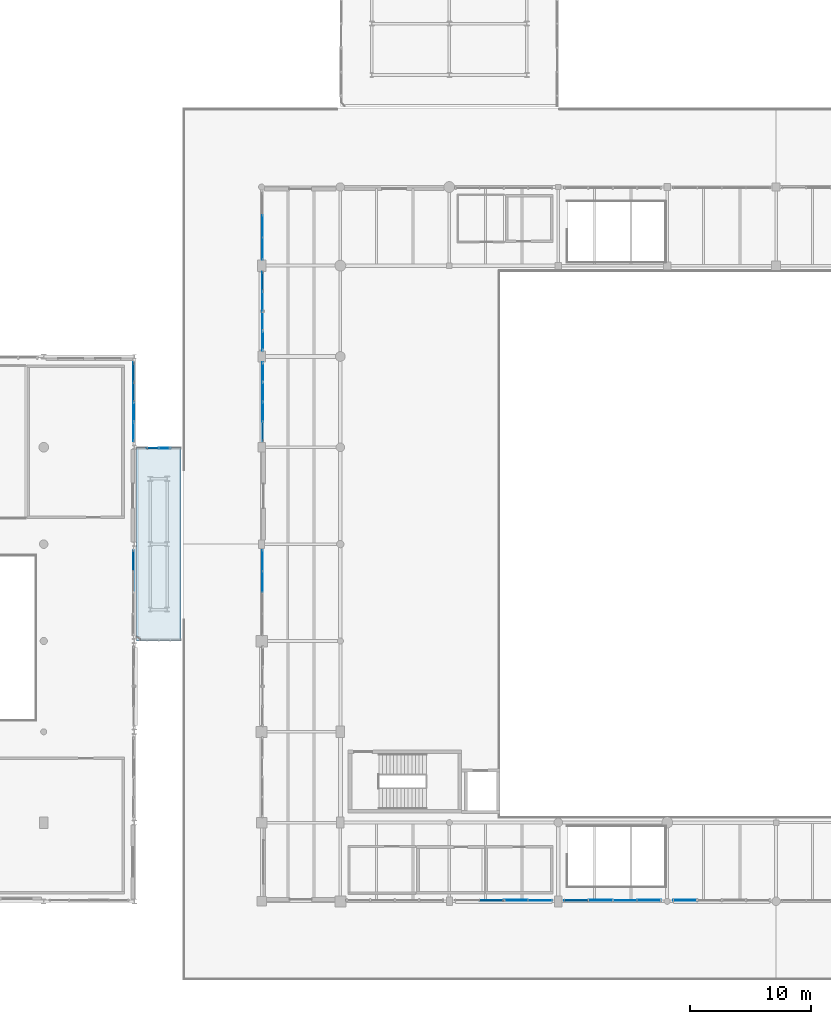
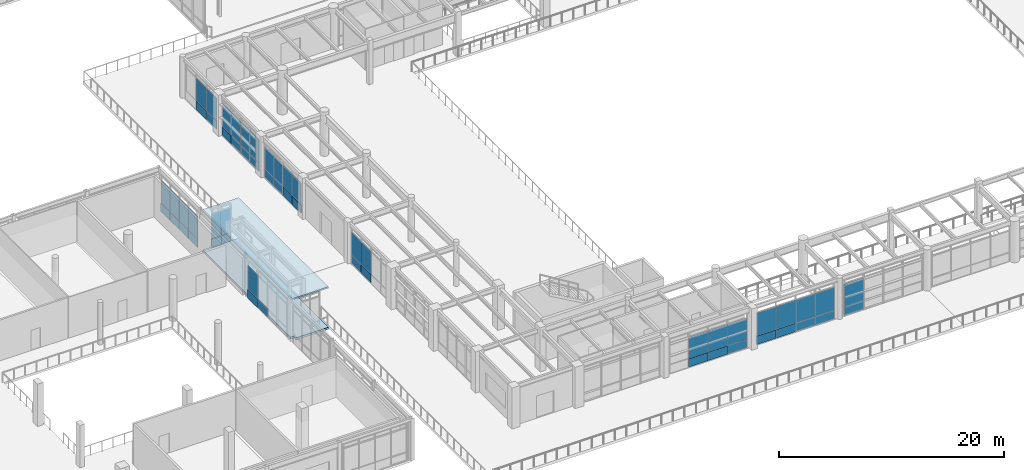
# One storey, part 156 of 200: 55 plates, 2 slabs, 10 elements without a shape of their own.
"""IFC4 building model written with IfcOpenShell, lengths in metres."""

from ifc_helpers import new_model, si_unit, direction, frame, origin, origin_2d, place, context, subcontext, project, spatial, polyline, rectangle, outline, extrude, material, layer, layer_set, type_object, element, aggregate, save


model = new_model("IFC4")

# Units and contexts
model_context = context("Model", 3, precision=1e-05, world=origin(), true_north=direction((0.0, 1.0)))
body_context = subcontext(model_context, "Body", "Model", "MODEL_VIEW")
ifc_project = project(units=[si_unit("LENGTHUNIT", "METRE"), si_unit("AREAUNIT", "SQUARE_METRE"), si_unit("VOLUMEUNIT", "CUBIC_METRE"), si_unit("PLANEANGLEUNIT", "RADIAN"), si_unit("MASSUNIT", "GRAM", prefix="KILO"), si_unit("THERMODYNAMICTEMPERATUREUNIT", "KELVIN"), si_unit("POWERUNIT", "WATT")], contexts=[model_context])

# Site, building, storey
site_placement = place(None, origin())
site = spatial("IfcSite", under=ifc_project, at=site_placement, CompositionType="ELEMENT")
building_placement = place(site_placement, origin())
building = spatial("IfcBuilding", under=site, at=building_placement, Name="Tepalcoro Natatorium and Aquatics Centre", CompositionType="ELEMENT")
storey_placement = place(building_placement, frame((0.0, 0.0, 5.39990234375)))
storey = spatial("IfcBuildingStorey", under=building, at=storey_placement, Name="L01", CompositionType="ELEMENT", Elevation=5.39990234375)

# Curtain wall, plate
ifc_material_1 = material(Name="Bronze-Anodised Extruded Aluminium Alloy EN AW-6063 T6", Category="aluminium")
curtain_wall_type_1 = type_object("IfcCurtainWallType", Name="CW_V4_VILLAGE", PredefinedType="USERDEFINED", material=ifc_material_1)
curtain_wall_1_placement = place(storey_placement, origin())
curtain_wall_1 = element("IfcCurtainWall", 1, at=curtain_wall_1_placement, inside=storey, type_object=curtain_wall_type_1, Name="V1 L01 S Unitised Curtain Wall Bay 3", ObjectType="UNITISED STOREFRONT", PredefinedType="USERDEFINED")
ifc_material_2 = material(Name="Solar-Control Bronze Tempered Low-E Double Glazing", Category="glass")
ifc_layer_1 = layer(ifc_material_2, 0.048095703125)
ifc_layer_set_1 = layer_set([ifc_layer_1], Name="Solar-Control Bronze Tempered Low-E Double Glazing")
plate_type_1 = type_object("IfcPlateType", Name="PL_ACOUSTIC_IGU_48", PredefinedType="CURTAIN_PANEL", material=ifc_layer_set_1)
plate_1_placement = place(storey_placement, frame((67.5048828125, 6.580078125, 0.9599609375), z_axis=(0.0, 0.0, 1.0), x_axis=(1.0, 0.0, 0.0)))
plate_1 = element("IfcPlate", 2, at=plate_1_placement, type_object=plate_type_1, Name="CW_V4_VILLAGE Insulated Glazing Unit", PredefinedType="CURTAIN_PANEL", context=body_context, shape_type="SweptSolid", body=[
    extrude(rectangle(XDim=1.989990234375, YDim=0.048095703125, at=origin_2d()), origin(), (0.0, 0.0, 1.0), 2.318115234375),
])

curtain_wall_type_2 = type_object("IfcCurtainWallType", Name="CW_V5_LOWER", PredefinedType="USERDEFINED", material=ifc_material_1)
curtain_wall_2_placement = place(storey_placement, origin())
curtain_wall_2 = element("IfcCurtainWall", 3, at=curtain_wall_2_placement, inside=storey, type_object=curtain_wall_type_2, Name="V1 L01 S Unitised Curtain Wall Bay 4", ObjectType="UNITISED STOREFRONT", PredefinedType="USERDEFINED")
plate_2_placement = place(storey_placement, frame((74.4951171875, 6.580078125, 0.9599609375), z_axis=(0.0, 0.0, 1.0), x_axis=(1.0, 0.0, 0.0)))
plate_2 = element("IfcPlate", 4, at=plate_2_placement, type_object=plate_type_1, Name="CW_V5_LOWER Insulated Glazing Unit", PredefinedType="CURTAIN_PANEL", context=body_context, shape_type="SweptSolid", body=[
    extrude(rectangle(XDim=1.989990234375, YDim=0.048095703125, at=origin_2d()), origin(), (0.0, 0.0, 1.0), 2.51708984375),
])

curtain_wall_type_3 = type_object("IfcCurtainWallType", Name="CW_V5_UPPER", PredefinedType="USERDEFINED", material=ifc_material_1)
curtain_wall_3_placement = place(storey_placement, origin())
curtain_wall_3 = element("IfcCurtainWall", 5, at=curtain_wall_3_placement, inside=storey, type_object=curtain_wall_type_3, Name="V1 L01 S Unitised Curtain Wall Bay 5", ObjectType="FACETED SOLAR GLAZING", PredefinedType="USERDEFINED")
plate_3_placement = place(storey_placement, frame((81.485107421875, 6.580078125, 0.9599609375), z_axis=(0.0, 0.0, 1.0), x_axis=(1.0, 0.0, 0.0)))
plate_3 = element("IfcPlate", 6, at=plate_3_placement, type_object=plate_type_1, Name="CW_V5_UPPER Insulated Glazing Unit", PredefinedType="CURTAIN_PANEL", context=body_context, shape_type="SweptSolid", body=[
    extrude(rectangle(XDim=1.989990234375, YDim=0.048095703125, at=origin_2d()), origin(), (0.0, 0.0, 1.0), 2.469970703125),
])

curtain_wall_type_4 = type_object("IfcCurtainWallType", Name="CW_LEAN_T2_NS", PredefinedType="USERDEFINED", material=ifc_material_1)
curtain_wall_4_placement = place(storey_placement, origin())
curtain_wall_4 = element("IfcCurtainWall", 7, at=curtain_wall_4_placement, inside=storey, type_object=curtain_wall_type_4, Name="V1 L01 W Unitised Curtain Wall Bay 4", ObjectType="FACETED SOLAR GLAZING", PredefinedType="USERDEFINED")
plate_4_placement = place(storey_placement, frame((46.576171875, 32.8798828125, 0.9599609375), z_axis=(0.0, 0.0, 1.0), x_axis=(1.0, 0.0, 0.0)))
plate_4 = element("IfcPlate", 8, at=plate_4_placement, type_object=plate_type_1, Name="CW_LEAN_T2_NS Insulated Glazing Unit", PredefinedType="CURTAIN_PANEL", context=body_context, shape_type="SweptSolid", body=[
    extrude(rectangle(XDim=0.048095703125, YDim=1.739990234375, at=origin_2d()), origin(), (0.0, 0.0, 1.0), 2.469970703125),
])

curtain_wall_type_5 = type_object("IfcCurtainWallType", Name="CW_V1_PLINTH", PredefinedType="USERDEFINED", material=ifc_material_1)
curtain_wall_5_placement = place(storey_placement, origin())
curtain_wall_5 = element("IfcCurtainWall", 9, at=curtain_wall_5_placement, inside=storey, type_object=curtain_wall_type_5, Name="V1 L01 W Unitised Curtain Wall Bay 6", ObjectType="UNITISED STOREFRONT", PredefinedType="USERDEFINED")
plate_5_placement = place(storey_placement, frame((46.590087890625, 46.9326171875, 0.9599609375), z_axis=(0.0, 0.0, 1.0), x_axis=(1.0, 0.0, 0.0)))
plate_5 = element("IfcPlate", 10, at=plate_5_placement, type_object=plate_type_1, Name="CW_V1_PLINTH Insulated Glazing Unit", PredefinedType="CURTAIN_PANEL", context=body_context, shape_type="SweptSolid", body=[
    extrude(rectangle(XDim=0.048095703125, YDim=1.614990234375, at=origin_2d()), origin(), (0.0, 0.0, 1.0), 2.318115234375),
])

# Curtain wall, plates
curtain_wall_type_6 = type_object("IfcCurtainWallType", Name="CW_V2_DIVING", PredefinedType="USERDEFINED", material=ifc_material_1)
curtain_wall_6_placement = place(storey_placement, origin())
curtain_wall_6 = element("IfcCurtainWall", 11, at=curtain_wall_6_placement, inside=storey, type_object=curtain_wall_type_6, Name="V1 L01 W Unitised Curtain Wall Bay 7", ObjectType="FACETED SOLAR GLAZING", PredefinedType="USERDEFINED")
plate_6_placement = place(storey_placement, frame((46.580078125, 52.797607421875, 0.9599609375), z_axis=(0.0, 0.0, 1.0), x_axis=(1.0, 0.0, 0.0)))
plate_6 = element("IfcPlate", 12, at=plate_6_placement, type_object=plate_type_1, Name="CW_V2_DIVING Insulated Glazing Unit", PredefinedType="CURTAIN_PANEL", context=body_context, shape_type="SweptSolid", body=[
    extrude(rectangle(XDim=0.048095703125, YDim=1.614990234375, at=origin_2d()), origin(), (0.0, 0.0, 1.0), 2.51708984375),
])
plate_7_placement = place(storey_placement, frame((46.580078125, 57.702392578125, 0.9599609375), z_axis=(0.0, 0.0, 1.0), x_axis=(1.0, 0.0, 0.0)))
plate_7 = element("IfcPlate", 13, at=plate_7_placement, type_object=plate_type_1, Name="CW_V2_DIVING Insulated Glazing Unit", PredefinedType="CURTAIN_PANEL", context=body_context, shape_type="SweptSolid", body=[
    extrude(rectangle(XDim=0.048095703125, YDim=1.614990234375, at=origin_2d()), origin(), (0.0, 0.0, 1.0), 2.51708984375),
])

curtain_wall_type_7 = type_object("IfcCurtainWallType", Name="CW_V3_FOYER", PredefinedType="USERDEFINED", material=ifc_material_1)
curtain_wall_7_placement = place(storey_placement, origin())
curtain_wall_7 = element("IfcCurtainWall", 14, at=curtain_wall_7_placement, inside=storey, type_object=curtain_wall_type_7, Name="V3 L01 E Unitised Curtain Wall Bay 6", ObjectType="UNITISED STOREFRONT", PredefinedType="USERDEFINED")
plate_8_placement = place(storey_placement, frame((35.9287109375, 45.297607421875, 0.960205078125), z_axis=(0.0, 0.0, 1.0), x_axis=(1.0, 0.0, 0.0)))
plate_8 = element("IfcPlate", 15, at=plate_8_placement, type_object=plate_type_1, Name="CW_V3_FOYER Insulated Glazing Unit", PredefinedType="CURTAIN_PANEL", context=body_context, shape_type="SweptSolid", body=[
    extrude(rectangle(XDim=0.048095703125, YDim=1.614990234375, at=origin_2d()), origin(), (0.0, 0.0, 1.0), 2.43798828125),
])
plate_9_placement = place(storey_placement, frame((35.9287109375, 50.202392578125, 0.960205078125), z_axis=(0.0, 0.0, 1.0), x_axis=(1.0, 0.0, 0.0)))
plate_9 = element("IfcPlate", 16, at=plate_9_placement, type_object=plate_type_1, Name="CW_V3_FOYER Insulated Glazing Unit", PredefinedType="CURTAIN_PANEL", context=body_context, shape_type="SweptSolid", body=[
    extrude(rectangle(XDim=0.048095703125, YDim=1.614990234375, at=origin_2d()), origin(), (0.0, 0.0, 1.0), 2.43798828125),
])

# Curtain wall, plate
curtain_wall_type_8 = type_object("IfcCurtainWallType", Name="CW_LINK_150", PredefinedType="USERDEFINED", material=ifc_material_1)
curtain_wall_8_placement = place(storey_placement, origin())
curtain_wall_8 = element("IfcCurtainWall", 17, at=curtain_wall_8_placement, inside=storey, type_object=curtain_wall_type_8, Name="West Foyer Seismic Link Glazed Wall N L01", ObjectType="UNITISED STOREFRONT", PredefinedType="USERDEFINED")
plate_10_placement = place(storey_placement, frame((38.5, 43.919921875, 0.9599609375), z_axis=(0.0, 0.0, 1.0), x_axis=(1.0, 0.0, 0.0)))
plate_10 = element("IfcPlate", 18, at=plate_10_placement, type_object=plate_type_1, Name="CW_LINK_150 Insulated Glazing Unit", PredefinedType="CURTAIN_PANEL", context=body_context, shape_type="SweptSolid", body=[
    extrude(rectangle(XDim=0.97998046875, YDim=0.048095703125, at=origin_2d()), origin(), (0.0, 0.0, 1.0), 2.679931640625),
])

# Plate
ifc_layer_2 = layer(ifc_material_2, 0.028076171875)
ifc_layer_set_2 = layer_set([ifc_layer_2], Name="Solar-Control Bronze Tempered Low-E Double Glazing")
plate_type_2 = type_object("IfcPlateType", Name="PL_BRONZE_IGU_28", PredefinedType="CURTAIN_PANEL", material=ifc_layer_set_2)
plate_11_placement = place(storey_placement, frame((65.4951171875, 6.580078125, 0.9599609375), z_axis=(0.0, 0.0, 1.0), x_axis=(1.0, 0.0, 0.0)))
plate_11 = element("IfcPlate", 19, at=plate_11_placement, type_object=plate_type_2, Name="CW_V4_VILLAGE Insulated Glazing Unit", PredefinedType="CURTAIN_PANEL", context=body_context, shape_type="SweptSolid", body=[
    extrude(rectangle(XDim=1.989990234375, YDim=0.028076171875, at=origin_2d()), origin(), (0.0, 0.0, 1.0), 2.318115234375),
])

plate_12_placement = place(storey_placement, frame((72.485107421875, 6.580078125, 0.9599609375), z_axis=(0.0, 0.0, 1.0), x_axis=(1.0, 0.0, 0.0)))
plate_12 = element("IfcPlate", 20, at=plate_12_placement, type_object=plate_type_2, Name="CW_V5_LOWER Insulated Glazing Unit", PredefinedType="CURTAIN_PANEL", context=body_context, shape_type="SweptSolid", body=[
    extrude(rectangle(XDim=1.989990234375, YDim=0.028076171875, at=origin_2d()), origin(), (0.0, 0.0, 1.0), 2.51708984375),
])

plate_13_placement = place(storey_placement, frame((78.514892578125, 6.580078125, 0.9599609375), z_axis=(0.0, 0.0, 1.0), x_axis=(1.0, 0.0, 0.0)))
plate_13 = element("IfcPlate", 21, at=plate_13_placement, type_object=plate_type_2, Name="CW_V5_LOWER Insulated Glazing Unit", PredefinedType="CURTAIN_PANEL", context=body_context, shape_type="SweptSolid", body=[
    extrude(rectangle(XDim=1.989990234375, YDim=0.028076171875, at=origin_2d()), origin(), (0.0, 0.0, 1.0), 2.51708984375),
])

plate_14_placement = place(storey_placement, frame((46.590087890625, 45.297607421875, 0.9599609375), z_axis=(0.0, 0.0, 1.0), x_axis=(1.0, 0.0, 0.0)))
plate_14 = element("IfcPlate", 22, at=plate_14_placement, type_object=plate_type_2, Name="CW_V1_PLINTH Insulated Glazing Unit", PredefinedType="CURTAIN_PANEL", context=body_context, shape_type="SweptSolid", body=[
    extrude(rectangle(XDim=0.028076171875, YDim=1.614990234375, at=origin_2d()), origin(), (0.0, 0.0, 1.0), 2.318115234375),
])

plate_15_placement = place(storey_placement, frame((46.590087890625, 50.202392578125, 0.9599609375), z_axis=(0.0, 0.0, 1.0), x_axis=(1.0, 0.0, 0.0)))
plate_15 = element("IfcPlate", 23, at=plate_15_placement, type_object=plate_type_2, Name="CW_V1_PLINTH Insulated Glazing Unit", PredefinedType="CURTAIN_PANEL", context=body_context, shape_type="SweptSolid", body=[
    extrude(rectangle(XDim=0.028076171875, YDim=1.614990234375, at=origin_2d()), origin(), (0.0, 0.0, 1.0), 2.318115234375),
])

plate_16_placement = place(storey_placement, frame((46.580078125, 56.0673828125, 0.9599609375), z_axis=(0.0, 0.0, 1.0), x_axis=(1.0, 0.0, 0.0)))
plate_16 = element("IfcPlate", 24, at=plate_16_placement, type_object=plate_type_2, Name="CW_V2_DIVING Insulated Glazing Unit", PredefinedType="CURTAIN_PANEL", context=body_context, shape_type="SweptSolid", body=[
    extrude(rectangle(XDim=0.028076171875, YDim=1.614990234375, at=origin_2d()), origin(), (0.0, 0.0, 1.0), 2.51708984375),
])

# Curtain wall, plate
curtain_wall_9_placement = place(storey_placement, origin())
curtain_wall_9 = element("IfcCurtainWall", 25, at=curtain_wall_9_placement, inside=storey, type_object=curtain_wall_type_7, Name="V1 L01 W Unitised Curtain Wall Bay 8", ObjectType="UNITISED STOREFRONT", PredefinedType="USERDEFINED")
plate_17_placement = place(storey_placement, frame((46.5712890625, 62.25, 0.9599609375), z_axis=(0.0, 0.0, 1.0), x_axis=(1.0, 0.0, 0.0)))
plate_17 = element("IfcPlate", 26, at=plate_17_placement, type_object=plate_type_2, Name="CW_V3_FOYER Insulated Glazing Unit", PredefinedType="CURTAIN_PANEL", context=body_context, shape_type="SweptSolid", body=[
    extrude(rectangle(XDim=0.028076171875, YDim=1.82666015625, at=origin_2d()), origin(), (0.0, 0.0, 1.0), 2.469970703125),
])

curtain_wall_10_placement = place(storey_placement, origin())
curtain_wall_10 = element("IfcCurtainWall", 27, at=curtain_wall_10_placement, inside=storey, type_object=curtain_wall_type_5, Name="V3 L01 E Unitised Curtain Wall Bay 4", ObjectType="UNITISED STOREFRONT", PredefinedType="USERDEFINED")
plate_18_placement = place(storey_placement, frame((35.909912109375, 34.639892578125, 0.9599609375), z_axis=(0.0, 0.0, 1.0), x_axis=(1.0, 0.0, 0.0)))
plate_18 = element("IfcPlate", 28, at=plate_18_placement, type_object=plate_type_2, Name="CW_V1_PLINTH Insulated Glazing Unit", PredefinedType="CURTAIN_PANEL", context=body_context, shape_type="SweptSolid", body=[
    extrude(rectangle(XDim=0.028076171875, YDim=1.739990234375, at=origin_2d()), origin(), (0.0, 0.0, 1.0), 2.590087890625),
])

# Plate
plate_19_placement = place(storey_placement, frame((35.9287109375, 48.5673828125, 0.960205078125), z_axis=(0.0, 0.0, 1.0), x_axis=(1.0, 0.0, 0.0)))
plate_19 = element("IfcPlate", 29, at=plate_19_placement, type_object=plate_type_2, Name="CW_V3_FOYER Insulated Glazing Unit", PredefinedType="CURTAIN_PANEL", context=body_context, shape_type="SweptSolid", body=[
    extrude(rectangle(XDim=0.028076171875, YDim=1.614990234375, at=origin_2d()), origin(), (0.0, 0.0, 1.0), 2.43798828125),
])

plate_20_placement = place(storey_placement, frame((37.5, 43.919921875, 0.9599609375), z_axis=(0.0, 0.0, 1.0), x_axis=(1.0, 0.0, 0.0)))
plate_20 = element("IfcPlate", 30, at=plate_20_placement, type_object=plate_type_2, Name="CW_LINK_150 Insulated Glazing Unit", PredefinedType="CURTAIN_PANEL", context=body_context, shape_type="SweptSolid", body=[
    extrude(rectangle(XDim=0.97998046875, YDim=0.028076171875, at=origin_2d()), origin(), (0.0, 0.0, 1.0), 2.679931640625),
])

ifc_material_3 = material(Name="Jalisco Cantera Rosa Volcanic Tuff Ashlar Masonry", Category="masonry")
ifc_layer_3 = layer(ifc_material_3, 0.090087890625)
ifc_layer_set_3 = layer_set([ifc_layer_3], Name="Jalisco Cantera Rosa Volcanic Tuff Ashlar Masonry")
plate_type_3 = type_object("IfcPlateType", Name="PL_CANTERA_90", PredefinedType="SHEET", material=ifc_layer_set_3)
plate_21_placement = place(storey_placement, frame((46.580078125, 57.702392578125, 0.044921875), z_axis=(0.0, 0.0, 1.0), x_axis=(1.0, 0.0, 0.0)))
plate_21 = element("IfcPlate", 31, at=plate_21_placement, type_object=plate_type_3, Name="CW_V2_DIVING Spandrel & Screen Panel", PredefinedType="SHEET", context=body_context, shape_type="SweptSolid", body=[
    extrude(rectangle(XDim=0.090087890625, YDim=1.614990234375, at=origin_2d()), origin(), (0.0, 0.0, 1.0), 0.909912109375),
])

plate_22_placement = place(storey_placement, frame((35.909912109375, 34.639892578125, 0.044921875), z_axis=(0.0, 0.0, 1.0), x_axis=(1.0, 0.0, 0.0)))
plate_22 = element("IfcPlate", 32, at=plate_22_placement, type_object=plate_type_3, Name="CW_V1_PLINTH Spandrel & Screen Panel", PredefinedType="SHEET", context=body_context, shape_type="SweptSolid", body=[
    extrude(rectangle(XDim=0.090087890625, YDim=1.739990234375, at=origin_2d()), origin(), (0.0, 0.0, 1.0), 0.909912109375),
])

plate_23_placement = place(storey_placement, frame((35.9287109375, 48.5673828125, 0.044921875), z_axis=(0.0, 0.0, 1.0), x_axis=(1.0, 0.0, 0.0)))
plate_23 = element("IfcPlate", 33, at=plate_23_placement, type_object=plate_type_3, Name="CW_V3_FOYER Spandrel & Screen Panel", PredefinedType="SHEET", context=body_context, shape_type="SweptSolid", body=[
    extrude(rectangle(XDim=0.090087890625, YDim=1.614990234375, at=origin_2d()), origin(), (0.0, 0.0, 1.0), 0.909912109375),
])

ifc_material_4 = material(Name="Clear Tempered Low-E Safety Glazing", Category="glass")
ifc_layer_4 = layer(ifc_material_4, 0.011962890625)
ifc_layer_set_4 = layer_set([ifc_layer_4], Name="Clear Tempered Low-E Safety Glazing")
plate_type_4 = type_object("IfcPlateType", Name="PL_GLASS_12", PredefinedType="CURTAIN_PANEL", material=ifc_layer_set_4)
plate_24_placement = place(storey_placement, frame((69.514892578125, 6.580078125, 0.9599609375), z_axis=(0.0, 0.0, 1.0), x_axis=(1.0, 0.0, 0.0)))
plate_24 = element("IfcPlate", 34, at=plate_24_placement, type_object=plate_type_4, Name="CW_V4_VILLAGE Insulated Glazing Unit", PredefinedType="CURTAIN_PANEL", context=body_context, shape_type="SweptSolid", body=[
    extrude(rectangle(XDim=1.989990234375, YDim=0.011962890625, at=origin_2d()), origin(), (0.0, 0.0, 1.0), 2.318115234375),
])

plate_25_placement = place(storey_placement, frame((76.5048828125, 6.580078125, 0.9599609375), z_axis=(0.0, 0.0, 1.0), x_axis=(1.0, 0.0, 0.0)))
plate_25 = element("IfcPlate", 35, at=plate_25_placement, type_object=plate_type_4, Name="CW_V5_LOWER Insulated Glazing Unit", PredefinedType="CURTAIN_PANEL", context=body_context, shape_type="SweptSolid", body=[
    extrude(rectangle(XDim=1.989990234375, YDim=0.011962890625, at=origin_2d()), origin(), (0.0, 0.0, 1.0), 2.51708984375),
])

plate_26_placement = place(storey_placement, frame((46.576171875, 34.639892578125, 0.9599609375), z_axis=(0.0, 0.0, 1.0), x_axis=(1.0, 0.0, 0.0)))
plate_26 = element("IfcPlate", 36, at=plate_26_placement, type_object=plate_type_4, Name="CW_LEAN_T2_NS Insulated Glazing Unit", PredefinedType="CURTAIN_PANEL", context=body_context, shape_type="SweptSolid", body=[
    extrude(rectangle(XDim=0.011962890625, YDim=1.739990234375, at=origin_2d()), origin(), (0.0, 0.0, 1.0), 2.469970703125),
])

plate_27_placement = place(storey_placement, frame((46.590087890625, 48.5673828125, 0.9599609375), z_axis=(0.0, 0.0, 1.0), x_axis=(1.0, 0.0, 0.0)))
plate_27 = element("IfcPlate", 37, at=plate_27_placement, type_object=plate_type_4, Name="CW_V1_PLINTH Insulated Glazing Unit", PredefinedType="CURTAIN_PANEL", context=body_context, shape_type="SweptSolid", body=[
    extrude(rectangle(XDim=0.011962890625, YDim=1.614990234375, at=origin_2d()), origin(), (0.0, 0.0, 1.0), 2.318115234375),
])

plate_28_placement = place(storey_placement, frame((46.580078125, 54.4326171875, 0.9599609375), z_axis=(0.0, 0.0, 1.0), x_axis=(1.0, 0.0, 0.0)))
plate_28 = element("IfcPlate", 38, at=plate_28_placement, type_object=plate_type_4, Name="CW_V2_DIVING Insulated Glazing Unit", PredefinedType="CURTAIN_PANEL", context=body_context, shape_type="SweptSolid", body=[
    extrude(rectangle(XDim=0.011962890625, YDim=1.614990234375, at=origin_2d()), origin(), (0.0, 0.0, 1.0), 2.51708984375),
])

plate_29_placement = place(storey_placement, frame((46.5712890625, 60.4033203125, 0.9599609375), z_axis=(0.0, 0.0, 1.0), x_axis=(1.0, 0.0, 0.0)))
plate_29 = element("IfcPlate", 39, at=plate_29_placement, type_object=plate_type_4, Name="CW_V3_FOYER Insulated Glazing Unit", PredefinedType="CURTAIN_PANEL", context=body_context, shape_type="SweptSolid", body=[
    extrude(rectangle(XDim=0.011962890625, YDim=1.82666015625, at=origin_2d()), origin(), (0.0, 0.0, 1.0), 2.469970703125),
])

plate_30_placement = place(storey_placement, frame((35.9287109375, 46.9326171875, 0.960205078125), z_axis=(0.0, 0.0, 1.0), x_axis=(1.0, 0.0, 0.0)))
plate_30 = element("IfcPlate", 40, at=plate_30_placement, type_object=plate_type_4, Name="CW_V3_FOYER Insulated Glazing Unit", PredefinedType="CURTAIN_PANEL", context=body_context, shape_type="SweptSolid", body=[
    extrude(rectangle(XDim=0.011962890625, YDim=1.614990234375, at=origin_2d()), origin(), (0.0, 0.0, 1.0), 2.43798828125),
])

ifc_material_5 = material(Name="Volcanic Recinto Basalt Ashlar Masonry", Category="masonry")
ifc_layer_5 = layer(ifc_material_5, 0.110107421875)
ifc_layer_set_5 = layer_set([ifc_layer_5], Name="Volcanic Recinto Basalt Ashlar Masonry")
plate_type_5 = type_object("IfcPlateType", Name="PL_RECINTO_110", PredefinedType="SHEET", material=ifc_layer_set_5)
plate_31_placement = place(storey_placement, frame((65.4951171875, 6.580078125, 0.044921875), z_axis=(0.0, 0.0, 1.0), x_axis=(1.0, 0.0, 0.0)))
plate_31 = element("IfcPlate", 41, at=plate_31_placement, type_object=plate_type_5, Name="CW_V4_VILLAGE Spandrel & Screen Panel", PredefinedType="SHEET", context=body_context, shape_type="SweptSolid", body=[
    extrude(rectangle(XDim=1.989990234375, YDim=0.110107421875, at=origin_2d()), origin(), (0.0, 0.0, 1.0), 0.909912109375),
])

plate_32_placement = place(storey_placement, frame((72.485107421875, 6.580078125, 0.044921875), z_axis=(0.0, 0.0, 1.0), x_axis=(1.0, 0.0, 0.0)))
plate_32 = element("IfcPlate", 42, at=plate_32_placement, type_object=plate_type_5, Name="CW_V5_LOWER Spandrel & Screen Panel", PredefinedType="SHEET", context=body_context, shape_type="SweptSolid", body=[
    extrude(rectangle(XDim=1.989990234375, YDim=0.110107421875, at=origin_2d()), origin(), (0.0, 0.0, 1.0), 0.909912109375),
])

plate_33_placement = place(storey_placement, frame((46.590087890625, 45.297607421875, 0.044921875), z_axis=(0.0, 0.0, 1.0), x_axis=(1.0, 0.0, 0.0)))
plate_33 = element("IfcPlate", 43, at=plate_33_placement, type_object=plate_type_5, Name="CW_V1_PLINTH Spandrel & Screen Panel", PredefinedType="SHEET", context=body_context, shape_type="SweptSolid", body=[
    extrude(rectangle(XDim=0.110107421875, YDim=1.614990234375, at=origin_2d()), origin(), (0.0, 0.0, 1.0), 0.909912109375),
])

plate_34_placement = place(storey_placement, frame((35.9287109375, 50.202392578125, 0.044921875), z_axis=(0.0, 0.0, 1.0), x_axis=(1.0, 0.0, 0.0)))
plate_34 = element("IfcPlate", 44, at=plate_34_placement, type_object=plate_type_5, Name="CW_V3_FOYER Spandrel & Screen Panel", PredefinedType="SHEET", context=body_context, shape_type="SweptSolid", body=[
    extrude(rectangle(XDim=0.110107421875, YDim=1.614990234375, at=origin_2d()), origin(), (0.0, 0.0, 1.0), 0.909912109375),
])

plate_35_placement = place(storey_placement, frame((37.5, 43.919921875, 0.044921875), z_axis=(0.0, 0.0, 1.0), x_axis=(1.0, 0.0, 0.0)))
plate_35 = element("IfcPlate", 45, at=plate_35_placement, type_object=plate_type_5, Name="CW_LINK_150 Spandrel & Screen Panel", PredefinedType="SHEET", context=body_context, shape_type="SweptSolid", body=[
    extrude(rectangle(XDim=0.97998046875, YDim=0.110107421875, at=origin_2d()), origin(), (0.0, 0.0, 1.0), 0.909912109375),
])

ifc_layer_6 = layer(ifc_material_1, 0.050048828125)
ifc_layer_set_6 = layer_set([ifc_layer_6], Name="Bronze-Anodised Extruded Aluminium Alloy EN AW-6063 T6")
plate_type_6 = type_object("IfcPlateType", Name="PL_SCREEN_50", PredefinedType="SHEET", material=ifc_layer_set_6)
plate_36_placement = place(storey_placement, frame((69.514892578125, 6.580078125, 0.044921875), z_axis=(0.0, 0.0, 1.0), x_axis=(1.0, 0.0, 0.0)))
plate_36 = element("IfcPlate", 46, at=plate_36_placement, type_object=plate_type_6, Name="CW_V4_VILLAGE Spandrel & Screen Panel", PredefinedType="SHEET", context=body_context, shape_type="SweptSolid", body=[
    extrude(rectangle(XDim=1.989990234375, YDim=0.050048828125, at=origin_2d()), origin(), (0.0, 0.0, 1.0), 0.909912109375),
])

plate_37_placement = place(storey_placement, frame((76.5048828125, 6.580078125, 0.044921875), z_axis=(0.0, 0.0, 1.0), x_axis=(1.0, 0.0, 0.0)))
plate_37 = element("IfcPlate", 47, at=plate_37_placement, type_object=plate_type_6, Name="CW_V5_LOWER Spandrel & Screen Panel", PredefinedType="SHEET", context=body_context, shape_type="SweptSolid", body=[
    extrude(rectangle(XDim=1.989990234375, YDim=0.050048828125, at=origin_2d()), origin(), (0.0, 0.0, 1.0), 0.909912109375),
])

plate_38_placement = place(storey_placement, frame((46.576171875, 34.639892578125, 0.044921875), z_axis=(0.0, 0.0, 1.0), x_axis=(1.0, 0.0, 0.0)))
plate_38 = element("IfcPlate", 48, at=plate_38_placement, type_object=plate_type_6, Name="CW_LEAN_T2_NS Spandrel & Screen Panel", PredefinedType="SHEET", context=body_context, shape_type="SweptSolid", body=[
    extrude(rectangle(XDim=0.050048828125, YDim=1.739990234375, at=origin_2d()), origin(), (0.0, 0.0, 1.0), 0.909912109375),
])

plate_39_placement = place(storey_placement, frame((46.590087890625, 48.5673828125, 0.044921875), z_axis=(0.0, 0.0, 1.0), x_axis=(1.0, 0.0, 0.0)))
plate_39 = element("IfcPlate", 49, at=plate_39_placement, type_object=plate_type_6, Name="CW_V1_PLINTH Spandrel & Screen Panel", PredefinedType="SHEET", context=body_context, shape_type="SweptSolid", body=[
    extrude(rectangle(XDim=0.050048828125, YDim=1.614990234375, at=origin_2d()), origin(), (0.0, 0.0, 1.0), 0.909912109375),
])

plate_40_placement = place(storey_placement, frame((46.580078125, 54.4326171875, 0.044921875), z_axis=(0.0, 0.0, 1.0), x_axis=(1.0, 0.0, 0.0)))
plate_40 = element("IfcPlate", 50, at=plate_40_placement, type_object=plate_type_6, Name="CW_V2_DIVING Spandrel & Screen Panel", PredefinedType="SHEET", context=body_context, shape_type="SweptSolid", body=[
    extrude(rectangle(XDim=0.050048828125, YDim=1.614990234375, at=origin_2d()), origin(), (0.0, 0.0, 1.0), 0.909912109375),
])

plate_41_placement = place(storey_placement, frame((46.5712890625, 60.4033203125, 0.044921875), z_axis=(0.0, 0.0, 1.0), x_axis=(1.0, 0.0, 0.0)))
plate_41 = element("IfcPlate", 51, at=plate_41_placement, type_object=plate_type_6, Name="CW_V3_FOYER Spandrel & Screen Panel", PredefinedType="SHEET", context=body_context, shape_type="SweptSolid", body=[
    extrude(rectangle(XDim=0.050048828125, YDim=1.82666015625, at=origin_2d()), origin(), (0.0, 0.0, 1.0), 0.909912109375),
])

plate_42_placement = place(storey_placement, frame((35.9287109375, 45.297607421875, 0.044921875), z_axis=(0.0, 0.0, 1.0), x_axis=(1.0, 0.0, 0.0)))
plate_42 = element("IfcPlate", 52, at=plate_42_placement, type_object=plate_type_6, Name="CW_V3_FOYER Spandrel & Screen Panel", PredefinedType="SHEET", context=body_context, shape_type="SweptSolid", body=[
    extrude(rectangle(XDim=0.050048828125, YDim=1.614990234375, at=origin_2d()), origin(), (0.0, 0.0, 1.0), 0.909912109375),
])

ifc_layer_7 = layer(ifc_material_1, 0.06005859375)
ifc_layer_set_7 = layer_set([ifc_layer_7], Name="Bronze-Anodised Extruded Aluminium Alloy EN AW-6063 T6")
plate_type_7 = type_object("IfcPlateType", Name="PL_SCREEN_60", PredefinedType="SHEET", material=ifc_layer_set_7)
plate_43_placement = place(storey_placement, frame((78.514892578125, 6.580078125, 0.044921875), z_axis=(0.0, 0.0, 1.0), x_axis=(1.0, 0.0, 0.0)))
plate_43 = element("IfcPlate", 53, at=plate_43_placement, type_object=plate_type_7, Name="CW_V5_LOWER Spandrel & Screen Panel", PredefinedType="SHEET", context=body_context, shape_type="SweptSolid", body=[
    extrude(rectangle(XDim=1.989990234375, YDim=0.06005859375, at=origin_2d()), origin(), (0.0, 0.0, 1.0), 0.909912109375),
])

plate_44_placement = place(storey_placement, frame((46.590087890625, 50.202392578125, 0.044921875), z_axis=(0.0, 0.0, 1.0), x_axis=(1.0, 0.0, 0.0)))
plate_44 = element("IfcPlate", 54, at=plate_44_placement, type_object=plate_type_7, Name="CW_V1_PLINTH Spandrel & Screen Panel", PredefinedType="SHEET", context=body_context, shape_type="SweptSolid", body=[
    extrude(rectangle(XDim=0.06005859375, YDim=1.614990234375, at=origin_2d()), origin(), (0.0, 0.0, 1.0), 0.909912109375),
])

plate_45_placement = place(storey_placement, frame((46.580078125, 56.0673828125, 0.044921875), z_axis=(0.0, 0.0, 1.0), x_axis=(1.0, 0.0, 0.0)))
plate_45 = element("IfcPlate", 55, at=plate_45_placement, type_object=plate_type_7, Name="CW_V2_DIVING Spandrel & Screen Panel", PredefinedType="SHEET", context=body_context, shape_type="SweptSolid", body=[
    extrude(rectangle(XDim=0.06005859375, YDim=1.614990234375, at=origin_2d()), origin(), (0.0, 0.0, 1.0), 0.909912109375),
])

plate_46_placement = place(storey_placement, frame((46.5712890625, 62.25, 0.044921875), z_axis=(0.0, 0.0, 1.0), x_axis=(1.0, 0.0, 0.0)))
plate_46 = element("IfcPlate", 56, at=plate_46_placement, type_object=plate_type_7, Name="CW_V3_FOYER Spandrel & Screen Panel", PredefinedType="SHEET", context=body_context, shape_type="SweptSolid", body=[
    extrude(rectangle(XDim=0.06005859375, YDim=1.82666015625, at=origin_2d()), origin(), (0.0, 0.0, 1.0), 0.909912109375),
])

aggregate(curtain_wall_9, [plate_29, plate_41, plate_17, plate_46])

plate_47_placement = place(storey_placement, frame((35.909912109375, 32.8798828125, 0.044921875), z_axis=(0.0, 0.0, 1.0), x_axis=(1.0, 0.0, 0.0)))
plate_47 = element("IfcPlate", 57, at=plate_47_placement, type_object=plate_type_7, Name="CW_V1_PLINTH Spandrel & Screen Panel", PredefinedType="SHEET", context=body_context, shape_type="SweptSolid", body=[
    extrude(rectangle(XDim=0.06005859375, YDim=1.739990234375, at=origin_2d()), origin(), (0.0, 0.0, 1.0), 0.909912109375),
])

aggregate(curtain_wall_10, [plate_47, plate_18, plate_22])

plate_48_placement = place(storey_placement, frame((35.9287109375, 46.9326171875, 0.044921875), z_axis=(0.0, 0.0, 1.0), x_axis=(1.0, 0.0, 0.0)))
plate_48 = element("IfcPlate", 58, at=plate_48_placement, type_object=plate_type_7, Name="CW_V3_FOYER Spandrel & Screen Panel", PredefinedType="SHEET", context=body_context, shape_type="SweptSolid", body=[
    extrude(rectangle(XDim=0.06005859375, YDim=1.614990234375, at=origin_2d()), origin(), (0.0, 0.0, 1.0), 0.909912109375),
])

aggregate(curtain_wall_7, [plate_8, plate_42, plate_30, plate_48, plate_19, plate_23, plate_9, plate_34])

ifc_material_6 = material(Name="Insulated Bronze Anodised Aluminium Spandrel Panel", Category="aluminium")
ifc_layer_8 = layer(ifc_material_6, 0.070068359375)
ifc_layer_set_8 = layer_set([ifc_layer_8], Name="Insulated Bronze Anodised Aluminium Spandrel Panel")
plate_type_8 = type_object("IfcPlateType", Name="PL_SPANDREL_70", PredefinedType="CURTAIN_PANEL", material=ifc_layer_set_8)
plate_49_placement = place(storey_placement, frame((67.5048828125, 6.580078125, 0.044921875), z_axis=(0.0, 0.0, 1.0), x_axis=(1.0, 0.0, 0.0)))
plate_49 = element("IfcPlate", 59, at=plate_49_placement, type_object=plate_type_8, Name="CW_V4_VILLAGE Spandrel & Screen Panel", PredefinedType="CURTAIN_PANEL", context=body_context, shape_type="SweptSolid", body=[
    extrude(rectangle(XDim=1.989990234375, YDim=0.070068359375, at=origin_2d()), origin(), (0.0, 0.0, 1.0), 0.909912109375),
])

aggregate(curtain_wall_1, [plate_11, plate_31, plate_1, plate_49, plate_24, plate_36])

plate_50_placement = place(storey_placement, frame((74.4951171875, 6.580078125, 0.044921875), z_axis=(0.0, 0.0, 1.0), x_axis=(1.0, 0.0, 0.0)))
plate_50 = element("IfcPlate", 60, at=plate_50_placement, type_object=plate_type_8, Name="CW_V5_LOWER Spandrel & Screen Panel", PredefinedType="CURTAIN_PANEL", context=body_context, shape_type="SweptSolid", body=[
    extrude(rectangle(XDim=1.989990234375, YDim=0.070068359375, at=origin_2d()), origin(), (0.0, 0.0, 1.0), 0.909912109375),
])

aggregate(curtain_wall_2, [plate_12, plate_32, plate_2, plate_50, plate_25, plate_37, plate_13, plate_43])

plate_51_placement = place(storey_placement, frame((81.485107421875, 6.580078125, 0.044921875), z_axis=(0.0, 0.0, 1.0), x_axis=(1.0, 0.0, 0.0)))
plate_51 = element("IfcPlate", 61, at=plate_51_placement, type_object=plate_type_8, Name="CW_V5_UPPER Spandrel & Screen Panel", PredefinedType="CURTAIN_PANEL", context=body_context, shape_type="SweptSolid", body=[
    extrude(rectangle(XDim=1.989990234375, YDim=0.070068359375, at=origin_2d()), origin(), (0.0, 0.0, 1.0), 0.909912109375),
])

aggregate(curtain_wall_3, [plate_3, plate_51])

plate_52_placement = place(storey_placement, frame((46.576171875, 32.8798828125, 0.044921875), z_axis=(0.0, 0.0, 1.0), x_axis=(1.0, 0.0, 0.0)))
plate_52 = element("IfcPlate", 62, at=plate_52_placement, type_object=plate_type_8, Name="CW_LEAN_T2_NS Spandrel & Screen Panel", PredefinedType="CURTAIN_PANEL", context=body_context, shape_type="SweptSolid", body=[
    extrude(rectangle(XDim=0.070068359375, YDim=1.739990234375, at=origin_2d()), origin(), (0.0, 0.0, 1.0), 0.909912109375),
])

aggregate(curtain_wall_4, [plate_4, plate_52, plate_26, plate_38])

plate_53_placement = place(storey_placement, frame((46.590087890625, 46.9326171875, 0.044921875), z_axis=(0.0, 0.0, 1.0), x_axis=(1.0, 0.0, 0.0)))
plate_53 = element("IfcPlate", 63, at=plate_53_placement, type_object=plate_type_8, Name="CW_V1_PLINTH Spandrel & Screen Panel", PredefinedType="CURTAIN_PANEL", context=body_context, shape_type="SweptSolid", body=[
    extrude(rectangle(XDim=0.070068359375, YDim=1.614990234375, at=origin_2d()), origin(), (0.0, 0.0, 1.0), 0.909912109375),
])

aggregate(curtain_wall_5, [plate_14, plate_33, plate_5, plate_53, plate_27, plate_39, plate_15, plate_44])

plate_54_placement = place(storey_placement, frame((46.580078125, 52.797607421875, 0.044921875), z_axis=(0.0, 0.0, 1.0), x_axis=(1.0, 0.0, 0.0)))
plate_54 = element("IfcPlate", 64, at=plate_54_placement, type_object=plate_type_8, Name="CW_V2_DIVING Spandrel & Screen Panel", PredefinedType="CURTAIN_PANEL", context=body_context, shape_type="SweptSolid", body=[
    extrude(rectangle(XDim=0.070068359375, YDim=1.614990234375, at=origin_2d()), origin(), (0.0, 0.0, 1.0), 0.909912109375),
])

aggregate(curtain_wall_6, [plate_6, plate_54, plate_28, plate_40, plate_16, plate_45, plate_7, plate_21])

plate_55_placement = place(storey_placement, frame((38.5, 43.919921875, 0.044921875), z_axis=(0.0, 0.0, 1.0), x_axis=(1.0, 0.0, 0.0)))
plate_55 = element("IfcPlate", 65, at=plate_55_placement, type_object=plate_type_8, Name="CW_LINK_150 Spandrel & Screen Panel", PredefinedType="CURTAIN_PANEL", context=body_context, shape_type="SweptSolid", body=[
    extrude(rectangle(XDim=0.97998046875, YDim=0.070068359375, at=origin_2d()), origin(), (0.0, 0.0, 1.0), 0.909912109375),
])

aggregate(curtain_wall_8, [plate_20, plate_35, plate_10, plate_55])

# Slabs
ifc_material_7 = material(Name="Concrete C35/45 (fc 35 MPa)", Category="concrete")
ifc_layer_9 = layer(ifc_material_7, 0.219970703125)
ifc_layer_set_9 = layer_set([ifc_layer_9], Name="Concrete C35/45 (fc 35 MPa)")
slab_type_1 = type_object("IfcSlabType", Name="SL_FLOOR_220", PredefinedType="FLOOR", material=ifc_layer_set_9)
slab_1_placement = place(storey_placement, frame((0.0, 0.0, -0.219970703125)))
element("IfcSlab", 66, at=slab_1_placement, inside=storey, type_object=slab_type_1, Name="West Foyer Seismic Link L01 Bridge Slab", PredefinedType="FLOOR", context=body_context, shape_type="SweptSolid", body=[
    extrude(outline(polyline([(36.14990234375, 44.0), (39.85009765625, 44.0), (39.85009765625, 28.0), (36.5, 28.0), (36.5, 28.35009765625), (36.14990234375, 28.35009765625), (36.14990234375, 44.0)])), origin(), (0.0, 0.0, 1.0), 0.219970703125),
])
ifc_layer_10 = layer(ifc_material_7, 0.159912109375)
ifc_layer_set_10 = layer_set([ifc_layer_10], Name="Concrete C35/45 (fc 35 MPa)")
slab_type_2 = type_object("IfcSlabType", Name="SL_ROOF_160", PredefinedType="ROOF", material=ifc_layer_set_10)
slab_2_placement = place(storey_placement, frame((0.0, 0.0, 4.239990234375)))
element("IfcSlab", 67, at=slab_2_placement, inside=storey, type_object=slab_type_2, Name="West Foyer Seismic Link Roof Slab", PredefinedType="ROOF", context=body_context, shape_type="SweptSolid", body=[
    extrude(outline(polyline([(39.85009765625, 28.0), (39.85009765625, 44.0), (36.14990234375, 44.0), (36.14990234375, 28.0), (39.85009765625, 28.0)])), origin(), (0.0, 0.0, 1.0), 0.16015625),
])

save(model, "model.ifc")
